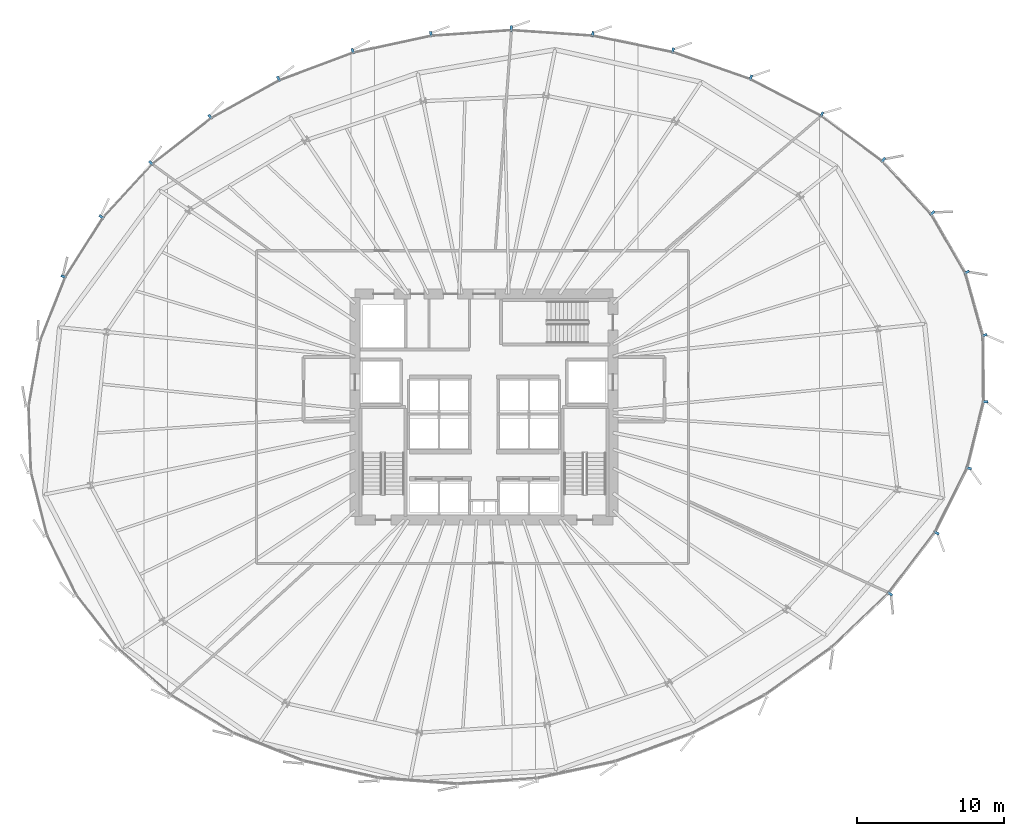
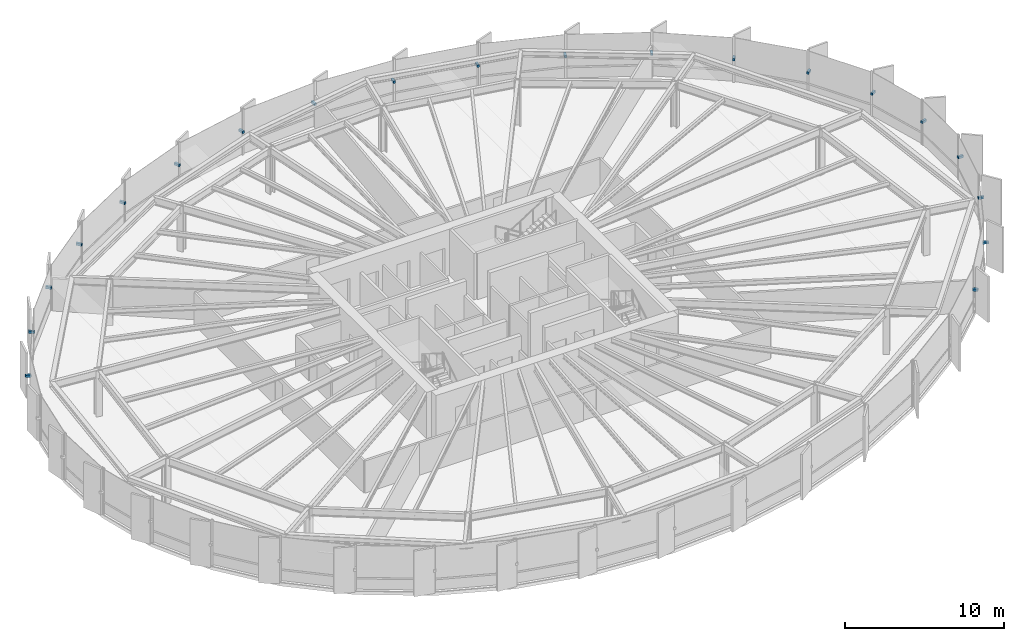
# One storey, part 33 of 38: 20 discrete accessories.
"""IFC4 building model written with IfcOpenShell, lengths in metres."""

from ifc_helpers import new_model, si_unit, direction, frame, origin, origin_2d, place, context, subcontext, project, spatial, rectangle, extrude, source, transform, mapped, material, type_object, element, save


model = new_model("IFC4")

# Units and contexts
model_context = context("Model", 3, precision=1e-05, world=origin(), true_north=direction((0.0, 1.0)))
body_context = subcontext(model_context, "Body", "Model", "MODEL_VIEW")
ifc_project = project(units=[si_unit("LENGTHUNIT", "METRE"), si_unit("AREAUNIT", "SQUARE_METRE"), si_unit("VOLUMEUNIT", "CUBIC_METRE"), si_unit("PLANEANGLEUNIT", "RADIAN"), si_unit("MASSUNIT", "GRAM", prefix="KILO"), si_unit("THERMODYNAMICTEMPERATUREUNIT", "KELVIN")], contexts=[model_context])

# Site, building, storey
site_placement = place(None, origin())
site = spatial("IfcSite", under=ifc_project, at=site_placement, CompositionType="ELEMENT")
building_placement = place(site_placement, origin())
building = spatial("IfcBuilding", under=site, at=building_placement, Name="Kethvar Cultural Tower", CompositionType="ELEMENT")
storey_placement = place(building_placement, frame((0.0, 0.0, 63.800048828125)))
storey = spatial("IfcBuildingStorey", under=building, at=storey_placement, Name="L15", CompositionType="ELEMENT", Elevation=63.800048828125)

# Discrete accessories
ifc_material = material(Name="Steel S355J2", Category="steel")
discrete_accessory_type = type_object("IfcDiscreteAccessoryType", Name="Steel Fin Bracket BRK-01", PredefinedType="BRACKET", material=ifc_material)
shared_shape = source(origin(), body_context, "Body", "SweptSolid", [
    extrude(rectangle(XDim=0.3798828125, YDim=0.159912109375, at=origin_2d()), origin(), (0.0, 0.0, 1.0), 0.179931640625),
])
for number, where, z_axis, x_axis, name in (
    (1, (80.919189453125, 32.699462890625, 1.68505859375), (0.0, 0.0, 1.0), (0.962738960451, 0.270432420449, 0.0), "L15 Terracotta Fin Bracket 1.1"),
    (2, (79.71337890625, 36.99072265625, 1.68505859375), (0.0, 0.0, 1.0), (0.864976307593, 0.501812701416, 0.0), "L15 Terracotta Fin Bracket 1.2"),
    (3, (77.372314453125, 41.025390625, 1.68505859375), (0.0, 0.0, 1.0), (0.734085518544, 0.679057031084, 0.0), "L15 Terracotta Fin Bracket 1.3"),
    (4, (74.022705078125, 44.646484375, 1.68505859375), (0.0, 0.0, 1.0), (0.595383839708, 0.803441400112, 0.0), "L15 Terracotta Fin Bracket 1.4"),
    (5, (69.83056640625, 47.75341796875, 1.68505859375), (0.0, 0.0, 1.0), (0.46035473079, 0.8877350516, 0.0), "L15 Terracotta Fin Bracket 1.5"),
    (6, (64.993408203125, 50.26171875, 1.68505859375), (0.0, 0.0, 1.0), (0.330020174407, 0.943973879132, 0.0), "L15 Terracotta Fin Bracket 1.6"),
    (7, (59.6806640625, 52.11279296875, 1.68505859375), (0.0, 0.0, 1.0), (0.200735972635, 0.979645379354, 0.0), "L15 Terracotta Fin Bracket 2.1"),
    (8, (54.218505859375, 53.231689453125, 1.68505859375), (0.0, 0.0, 1.0), (0.068015290665, 0.997684278836, 0.0), "L15 Terracotta Fin Bracket 2.2"),
    (9, (48.659912109375, 53.610595703125, 1.68505859375), (0.0, 0.0, 1.0), (-0.070278787473, 0.997527389113, 0.0), "L15 Terracotta Fin Bracket 2.3"),
    (10, (43.180908203125, 53.224609375, 1.68505859375), (0.0, 0.0, 1.0), (-0.211324796455, 0.977415894286, 0.0), "L15 Terracotta Fin Bracket 2.4"),
    (11, (37.850830078125, 52.072021484375, 1.68505859375), (0.0, 0.0, 1.0), (-0.350043895789, 0.9367332977, 0.0), "L15 Terracotta Fin Bracket 2.5"),
    (12, (32.792724609375, 50.181884765625, 1.68505859375), (0.0, 0.0, 1.0), (-0.485114890576, 0.874450423376, 0.0), "L15 Terracotta Fin Bracket 2.6"),
    (13, (28.126708984375, 47.585693359375, 1.68505859375), (0.0, 0.0, 1.0), (-0.61511119005, 0.788440374331, 0.0), "L15 Terracotta Fin Bracket 3.1"),
    (14, (24.09375, 44.439453125, 1.68505859375), (0.0, 0.0, 1.0), (-0.736569456271, 0.676361912062, 0.0), "L15 Terracotta Fin Bracket 3.2"),
    (15, (20.71728515625, 40.76171875, 1.68505859375), (0.0, 0.0, 1.0), (-0.844327925502, 0.535826794979, 0.0), "L15 Terracotta Fin Bracket 3.3"),
    (16, (18.13330078125, 36.68994140625, 1.68505859375), (0.0, 0.0, 1.0), (-0.930225540858, 0.366988341962, 0.0), "L15 Terracotta Fin Bracket 3.4"),
    (17, (74.48388671875, 15.0654296875, 1.68505859375), (0.0, 0.0, 1.0), (0.795896346681, -0.605432907381, 0.0), "L15 Terracotta Fin Bracket 6.3"),
    (18, (77.64306640625, 19.218994140625, 1.68505859375), (0.0, 0.0, 1.0), (0.89438856037, -0.447290848419, 0.0), "L15 Terracotta Fin Bracket 6.4"),
    (19, (79.848876953125, 23.63134765625, 1.68505859375), (0.0, 0.0, 1.0), (0.970632567035, -0.240566871809, 0.0), "L15 Terracotta Fin Bracket 6.5"),
    (20, (80.970947265625, 28.1591796875, 1.68505859375), (0.0, 0.0, 1.0), (0.999960384766, 0.008901061644, 0.0), "L15 Terracotta Fin Bracket 6.6"),
):
    element("IfcDiscreteAccessory", number, at=place(storey_placement, frame(where, z_axis=z_axis, x_axis=x_axis)), inside=storey, type_object=discrete_accessory_type, Name=name, PredefinedType="BRACKET", context=body_context, shape_type="MappedRepresentation", body=[
        mapped(shared_shape, transform((0.0, 0.0, 0.0), scale=1.0)),
    ])

save(model, "model.ifc")
